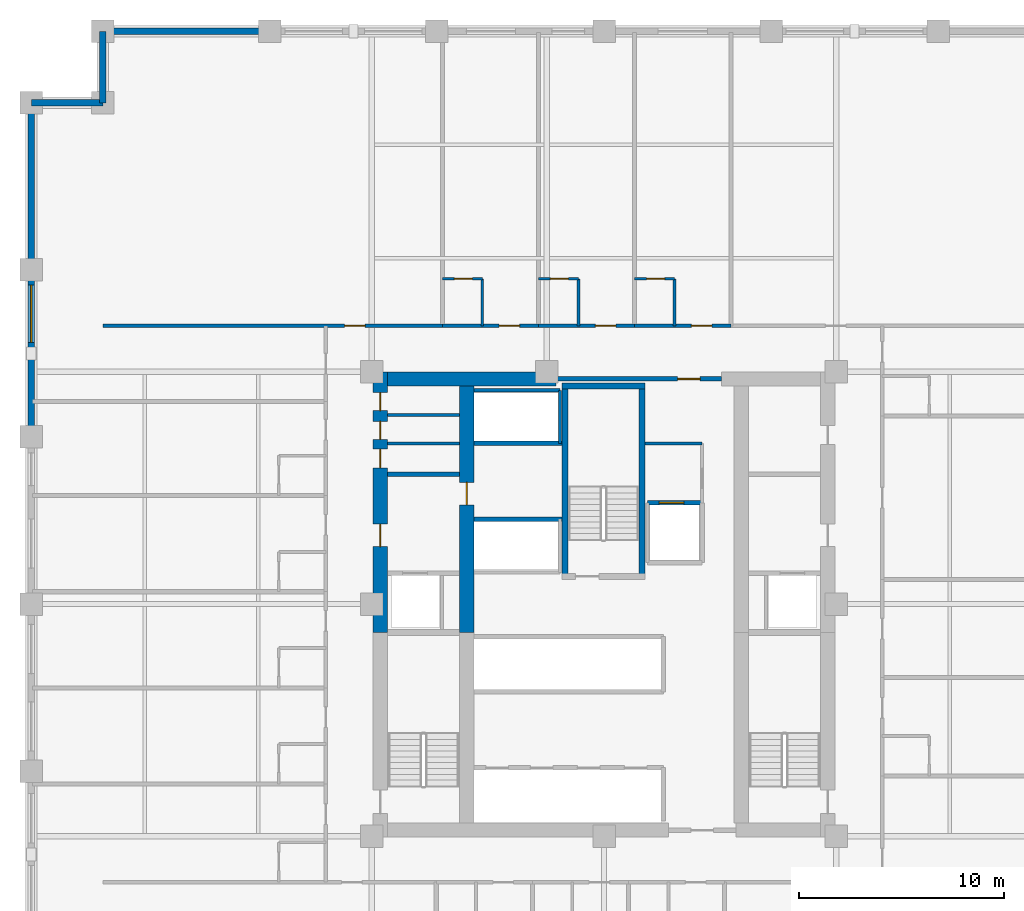
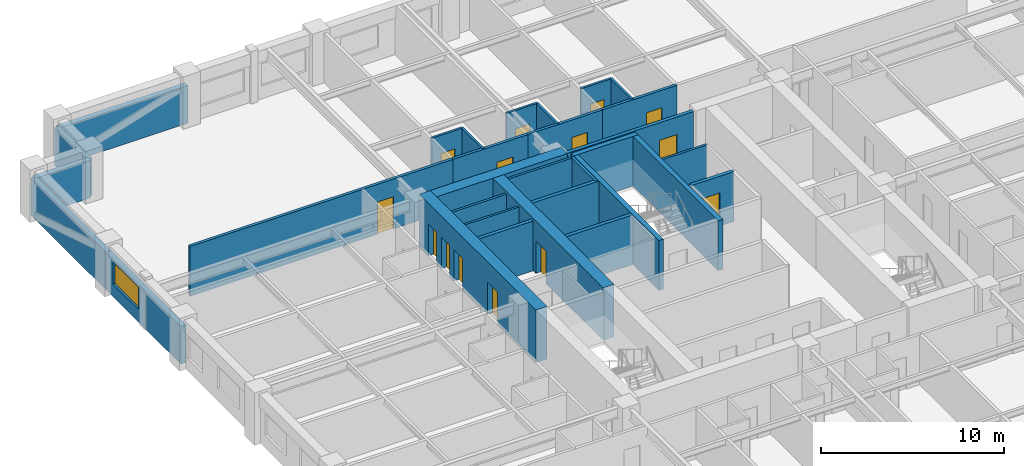
# One storey, part 5 of 8: 31 walls, 14 doors, 1 window, 15 openings.
"""IFC4 building model written with IfcOpenShell, lengths in metres."""

import ifcopenshell
import ifcopenshell.guid

model = None  # the IFC model being written
_history = None  # IfcOwnerHistory: only IFC2X3 demands one
_inside = {}  # id of a spatial element -> (the spatial element, [elements in it])
_under = {}  # id of a project, library or spatial element -> (it, [spatial elements below it])
_declared = {}  # id of a project -> (the project, [libraries it declares])
_typed = {}  # id of a type object -> (the type object, [elements of that type])
_made_of = {}  # id of a material, layer set ... -> (it, [elements and type objects made of it])


def new_model(schema):
    """Start an empty IFC model of exactly this schema.

    Asked for "IFC4X3", IfcOpenShell would pick the latest addendum, in which some entities
    have other attributes; the version numbers below select the first issue.
    IFC2X3 requires an IfcOwnerHistory on every rooted entity: one is made here for all.
    """
    global model, _history
    if schema == "IFC4X3":
        model = ifcopenshell.file(schema_version=(4, 3, 0, 0))
    else:
        model = ifcopenshell.file(schema=schema)
    _inside.clear()
    _under.clear()
    _declared.clear()
    _typed.clear()
    _made_of.clear()
    _history = None
    if model.schema == "IFC2X3":
        org = make("IfcOrganization", Name="unknown")
        user = make(
            "IfcPersonAndOrganization",
            ThePerson=make("IfcPerson", FamilyName="unknown"),
            TheOrganization=org,
        )
        app = make(
            "IfcApplication",
            ApplicationDeveloper=org,
            Version="unknown",
            ApplicationFullName="unknown",
            ApplicationIdentifier="unknown",
        )
        _history = make(
            "IfcOwnerHistory",
            OwningUser=user,
            OwningApplication=app,
            ChangeAction="ADDED",
            CreationDate=0,
        )
    return model


def make(cls, **values):
    """One entity of the class cls with the attributes given. An attribute that is None is left unset."""
    return model.create_entity(
        cls, **{name: value for name, value in values.items() if value is not None}
    )


def rooted(cls, **values):
    """An entity with a GlobalId (a new one), such as an element, a storey or a relation."""
    return make(cls, GlobalId=ifcopenshell.guid.new(), OwnerHistory=_history, **values)


def si_unit(unit_type, name, prefix=None):
    """IfcSIUnit, for example si_unit("LENGTHUNIT", "METRE", prefix="MILLI")."""
    return make("IfcSIUnit", UnitType=unit_type, Prefix=prefix, Name=name)


def assignment(units):
    """IfcUnitAssignment: the units of a project."""
    return None if units is None else make("IfcUnitAssignment", Units=units)


def point(xyz):
    """IfcCartesianPoint."""
    return None if xyz is None else make("IfcCartesianPoint", Coordinates=xyz)


def direction(xyz):
    """IfcDirection."""
    return None if xyz is None else make("IfcDirection", DirectionRatios=xyz)


def frame(location, z_axis=None, x_axis=None):
    """IfcAxis2Placement3D, a coordinate frame: its origin and axes. An axis left out is left unset."""
    return make(
        "IfcAxis2Placement3D",
        Location=point(location),
        Axis=direction(z_axis),
        RefDirection=direction(x_axis),
    )


def frame_2d(location, x_axis=None):
    """IfcAxis2Placement2D, a coordinate frame in the plane: its origin and x axis."""
    return make(
        "IfcAxis2Placement2D", Location=point(location), RefDirection=direction(x_axis)
    )


def origin():
    """The frame at (0, 0, 0) with its axes left unset."""
    return frame((0.0, 0.0, 0.0))


def place(relative_to, where):
    """IfcLocalPlacement: puts the frame where relative to a parent placement (None: the world)."""
    return make(
        "IfcLocalPlacement", PlacementRelTo=relative_to, RelativePlacement=where
    )


def context(
    kind, dimensions, precision=None, world=None, true_north=None, identifier=None
):
    """IfcGeometricRepresentationContext, for example the 3D "Model" context."""
    return make(
        "IfcGeometricRepresentationContext",
        ContextIdentifier=identifier,
        ContextType=kind,
        CoordinateSpaceDimension=dimensions,
        Precision=precision,
        WorldCoordinateSystem=world,
        TrueNorth=true_north,
    )


def subcontext(parent, identifier, kind, view, scale=None):
    """IfcGeometricRepresentationSubContext, for example "Body" below "Model"."""
    return make(
        "IfcGeometricRepresentationSubContext",
        ContextIdentifier=identifier,
        ContextType=kind,
        ParentContext=parent,
        TargetScale=scale,
        TargetView=view,
    )


def project(units=None, contexts=None):
    """IfcProject with its units and contexts."""
    return rooted(
        "IfcProject",
        Name="project",
        RepresentationContexts=contexts,
        UnitsInContext=assignment(units),
    )


def spatial(cls, under=None, at=None, **own):
    """A site, building, storey or space (cls), placed at a placement, below another one or the project."""
    s = rooted(cls, ObjectPlacement=at, **own)
    if under is not None:
        _under.setdefault(under.id(), (under, []))[1].append(s)
    return s


def profile(cls, at=None, kind="AREA", **sizes):
    """A parametric profile (cls). Its sizes go by their IFC names, for example OverallWidth=200.0."""
    return make(cls, ProfileType=kind, Position=at, **sizes)


def rectangle(**sizes):
    """IfcRectangleProfileDef."""
    return profile("IfcRectangleProfileDef", **sizes)


def extrude(swept, where, along, depth):
    """IfcExtrudedAreaSolid: the profile swept, set in the frame where, extruded along a direction by depth."""
    return make(
        "IfcExtrudedAreaSolid",
        SweptArea=swept,
        Position=where,
        ExtrudedDirection=direction(along),
        Depth=depth,
    )


def shape(context_of_items, identifier, shape_type, items):
    """IfcShapeRepresentation: the items that make up one representation, for example the "Body"."""
    return make(
        "IfcShapeRepresentation",
        ContextOfItems=context_of_items,
        RepresentationIdentifier=identifier,
        RepresentationType=shape_type,
        Items=items,
    )


def material(Name=None, Category=None):
    """IfcMaterial."""
    return make("IfcMaterial", Name=Name, Category=Category)


def layer(
    of_material, thickness, ventilated=None, Name=None, Category=None, Priority=None
):
    """IfcMaterialLayer: one layer of a wall or slab, of a material (None: an air gap)."""
    return make(
        "IfcMaterialLayer",
        Material=of_material,
        LayerThickness=thickness,
        IsVentilated=ventilated,
        Name=Name,
        Category=Category,
        Priority=Priority,
    )


def layer_set(layers, Name=None):
    """IfcMaterialLayerSet."""
    return make("IfcMaterialLayerSet", MaterialLayers=layers, LayerSetName=Name)


def made_of(thing, what):
    """Note that an element or type object is made of a material, layer set ...; save() writes the relation."""
    if what is not None:
        _made_of.setdefault(what.id(), (what, []))[1].append(thing)
    return thing


def type_object(cls, material=None, **own):
    """A type object (cls), such as IfcWallType, which elements share."""
    return made_of(rooted(cls, **own), material)


def element(
    cls,
    number,
    at=None,
    inside=None,
    cuts=None,
    type_object=None,
    material=None,
    context=None,
    identifier="Body",
    shape_type=None,
    held_by="IfcProductDefinitionShape",
    body=None,
    shapes=None,
    **own,
):
    """One element of the class cls, such as IfcWall. Its Tag is "e" and its number.

    at: its placement. inside: the storey or other place that contains it. cuts: it is an
    opening in that element (IfcRelVoidsElement). A single representation is given by context,
    identifier, shape_type and body (its items); several are given by shapes. held_by: the class
    of the entity that holds the representations. save() writes the other relations.
    """
    e = rooted(cls, Tag="e%d" % number, ObjectPlacement=at, **own)
    if body is not None:
        shapes = [shape(context, identifier, shape_type, body)]
    if shapes is not None:
        e.Representation = make(held_by, Representations=shapes)
    if inside is not None:
        _inside.setdefault(inside.id(), (inside, []))[1].append(e)
    if cuts is not None:
        rooted(
            "IfcRelVoidsElement", RelatingBuildingElement=cuts, RelatedOpeningElement=e
        )
    if type_object is not None:
        _typed.setdefault(type_object.id(), (type_object, []))[1].append(e)
    return made_of(e, material)


def fill(opening, filler):
    """IfcRelFillsElement: the door or window that sits in an opening."""
    return rooted(
        "IfcRelFillsElement",
        RelatingOpeningElement=opening,
        RelatedBuildingElement=filler,
    )


def aggregate(whole, parts):
    """IfcRelAggregates: a whole, such as a stair, and the parts it consists of."""
    return rooted("IfcRelAggregates", RelatingObject=whole, RelatedObjects=parts)


def save(model, path):
    """Write the relations noted so far, then the file.

    IfcRelAggregates (storeys below a building ...), IfcRelContainedInSpatialStructure (elements
    in a storey), IfcRelDefinesByType, IfcRelAssociatesMaterial and IfcRelDeclares: one each for
    every whole, place, type object, material and project.
    """
    for whole, parts in _under.values():
        aggregate(whole, parts)
    for where, things in _inside.values():
        rooted(
            "IfcRelContainedInSpatialStructure",
            RelatedElements=things,
            RelatingStructure=where,
        )
    for kind, things in _typed.values():
        rooted("IfcRelDefinesByType", RelatedObjects=things, RelatingType=kind)
    for what, things in _made_of.values():
        rooted("IfcRelAssociatesMaterial", RelatedObjects=things, RelatingMaterial=what)
    for by, libraries in _declared.values():
        rooted("IfcRelDeclares", RelatingContext=by, RelatedDefinitions=libraries)
    model.write(path)


model = new_model("IFC4")

# Units and contexts
model_context = context("Model", 3, precision=1e-05, world=origin(), true_north=direction((0.0, 1.0)))
body_context = subcontext(model_context, "Body", "Model", "MODEL_VIEW")
ifc_project = project(units=[si_unit("LENGTHUNIT", "METRE"), si_unit("AREAUNIT", "SQUARE_METRE"), si_unit("VOLUMEUNIT", "CUBIC_METRE"), si_unit("PLANEANGLEUNIT", "RADIAN"), si_unit("MASSUNIT", "GRAM", prefix="KILO")], contexts=[model_context])

# Site, building, storey
site_placement = place(None, origin())
site = spatial("IfcSite", under=ifc_project, at=site_placement, CompositionType="ELEMENT")
building_placement = place(site_placement, origin())
building = spatial("IfcBuilding", under=site, at=building_placement, Name="Nhamokura Convention Tower", CompositionType="ELEMENT")
storey_placement = place(building_placement, frame((0.0, 0.0, 45.85009765625)))
storey = spatial("IfcBuildingStorey", under=building, at=storey_placement, Name="L09", CompositionType="ELEMENT", Elevation=45.85009765625)

# Walls
ifc_material_1 = material(Name="Moisture-resistant tile-backer partition", Category="masonry")
ifc_layer_1 = layer(ifc_material_1, 0.139892578125)
ifc_layer_set_1 = layer_set([ifc_layer_1], Name="BathroomWetWall_140")
wall_type_1 = type_object("IfcWallType", Name="BathroomWetWall_140", PredefinedType="STANDARD", material=ifc_layer_set_1)
wall_1_placement = place(storey_placement, frame((21.409912109375, 39.85009765625, 0.0), z_axis=(0.0, 0.0, 1.0), x_axis=(1.0, 0.0, 0.0)))
element("IfcWall", 1, at=wall_1_placement, inside=storey, type_object=wall_type_1, Name="L09 Wall INT-L09-CWNW1", PredefinedType="STANDARD", context=body_context, shape_type="SweptSolid", body=[
    extrude(rectangle(XDim=3.530029296875, YDim=0.139892578125, at=frame_2d((1.76513671875, 0.0))), origin(), (0.0, 0.0, 1.0), 3.31982421875),
])
wall_2_placement = place(storey_placement, frame((26.050048828125, 45.60009765625, 0.0), z_axis=(0.0, 0.0, 1.0), x_axis=(0.0, 1.0, 0.0)))
element("IfcWall", 2, at=wall_2_placement, inside=storey, type_object=wall_type_1, Name="L09 Wall INT-L09-BW-N01E", PredefinedType="STANDARD", context=body_context, shape_type="SweptSolid", body=[
    extrude(rectangle(XDim=2.2998046875, YDim=0.139892578125, at=frame_2d((1.14990234375, 0.0))), origin(), (0.0, 0.0, 1.0), 3.31982421875),
])

# Wall, opening, door
wall_3_placement = place(storey_placement, frame((24.10009765625, 47.89990234375, 0.0), z_axis=(0.0, 0.0, 1.0), x_axis=(1.0, 0.0, 0.0)))
wall_3 = element("IfcWall", 3, at=wall_3_placement, inside=storey, type_object=wall_type_1, Name="L09 Wall INT-L09-BW-N01N", PredefinedType="STANDARD", context=body_context, shape_type="SweptSolid", body=[
    extrude(rectangle(XDim=1.949951171875, YDim=0.139892578125, at=frame_2d((0.97509765625, 0.0))), origin(), (0.0, 0.0, 1.0), 3.31982421875),
])
opening_1_placement = place(wall_3_placement, frame((0.580078125, 0.0, 0.0)))
opening_1 = element("IfcOpeningElement", 4, at=opening_1_placement, cuts=wall_3, Name="Opening D-11", PredefinedType="OPENING", context=body_context, shape_type="SweptSolid", body=[
    extrude(rectangle(XDim=0.8798828125, YDim=2.10009765625, at=frame_2d((0.43994140625, 1.050048828125))), frame((0.0, 0.079833984375, 0.0), z_axis=(0.0, -1.0, 0.0), x_axis=(1.0, 0.0, 0.0)), (0.0, 0.0, 1.0), 0.159912109375),
])
ifc_material_2 = material(Name="Solid oak hardwood", Category="wood")
door_type_1 = type_object("IfcDoorType", Name="BathroomDoor_880", OperationType="NOTDEFINED", PredefinedType="DOOR", material=ifc_material_2)
door_1_placement = place(opening_1_placement, origin())
door_1 = element("IfcDoor", 5, at=door_1_placement, inside=storey, type_object=door_type_1, Name="L09 Corner Suite En-suite Door", OperationType="SINGLE_SWING_RIGHT", OverallHeight=2.10009765625, OverallWidth=0.8798828125, PredefinedType="DOOR", context=body_context, shape_type="SweptSolid", body=[
    extrude(rectangle(XDim=0.8798828125, YDim=2.10009765625, at=frame_2d((0.43994140625, 1.050048828125))), frame((0.0, 0.02490234375, 0.0), z_axis=(0.0, -1.0, 0.0), x_axis=(1.0, 0.0, 0.0)), (0.0, 0.0, 1.0), 0.050048828125),
])
fill(opening_1, door_1)

# Wall
wall_4_placement = place(storey_placement, frame((30.75, 45.60009765625, 0.0), z_axis=(0.0, 0.0, 1.0), x_axis=(0.0, 1.0, 0.0)))
element("IfcWall", 6, at=wall_4_placement, inside=storey, type_object=wall_type_1, Name="L09 Wall INT-L09-BW-N02E", PredefinedType="STANDARD", context=body_context, shape_type="SweptSolid", body=[
    extrude(rectangle(XDim=2.2998046875, YDim=0.139892578125, at=frame_2d((1.14990234375, 0.0))), origin(), (0.0, 0.0, 1.0), 3.31982421875),
])

# Wall, opening, door
wall_5_placement = place(storey_placement, frame((28.800048828125, 47.89990234375, 0.0), z_axis=(0.0, 0.0, 1.0), x_axis=(1.0, 0.0, 0.0)))
wall_5 = element("IfcWall", 7, at=wall_5_placement, inside=storey, type_object=wall_type_1, Name="L09 Wall INT-L09-BW-N02N", PredefinedType="STANDARD", context=body_context, shape_type="SweptSolid", body=[
    extrude(rectangle(XDim=1.949951171875, YDim=0.139892578125, at=frame_2d((0.97509765625, 0.0))), origin(), (0.0, 0.0, 1.0), 3.31982421875),
])
opening_2_placement = place(wall_5_placement, frame((0.580078125, 0.0, 0.0)))
opening_2 = element("IfcOpeningElement", 8, at=opening_2_placement, cuts=wall_5, Name="Opening D-11", PredefinedType="OPENING", context=body_context, shape_type="SweptSolid", body=[
    extrude(rectangle(XDim=0.8798828125, YDim=2.10009765625, at=frame_2d((0.43994140625, 1.050048828125))), frame((0.0, 0.079833984375, 0.0), z_axis=(0.0, -1.0, 0.0), x_axis=(1.0, 0.0, 0.0)), (0.0, 0.0, 1.0), 0.159912109375),
])
door_2_placement = place(opening_2_placement, origin())
door_2 = element("IfcDoor", 9, at=door_2_placement, inside=storey, type_object=door_type_1, Name="L09 Guest Room En-suite Door", OperationType="SINGLE_SWING_RIGHT", OverallHeight=2.10009765625, OverallWidth=0.8798828125, PredefinedType="DOOR", context=body_context, shape_type="SweptSolid", body=[
    extrude(rectangle(XDim=0.8798828125, YDim=2.10009765625, at=frame_2d((0.43994140625, 1.050048828125))), frame((0.0, 0.02490234375, 0.0), z_axis=(0.0, -1.0, 0.0), x_axis=(1.0, 0.0, 0.0)), (0.0, 0.0, 1.0), 0.050048828125),
])
fill(opening_2, door_2)

# Wall
wall_6_placement = place(storey_placement, frame((35.449951171875, 45.60009765625, 0.0), z_axis=(0.0, 0.0, 1.0), x_axis=(0.0, 1.0, 0.0)))
element("IfcWall", 10, at=wall_6_placement, inside=storey, type_object=wall_type_1, Name="L09 Wall INT-L09-BW-N03E", PredefinedType="STANDARD", context=body_context, shape_type="SweptSolid", body=[
    extrude(rectangle(XDim=2.2998046875, YDim=0.139892578125, at=frame_2d((1.14990234375, 0.0))), origin(), (0.0, 0.0, 1.0), 3.31982421875),
])

# Wall, opening, door
wall_7_placement = place(storey_placement, frame((33.5, 47.89990234375, 0.0), z_axis=(0.0, 0.0, 1.0), x_axis=(1.0, 0.0, 0.0)))
wall_7 = element("IfcWall", 11, at=wall_7_placement, inside=storey, type_object=wall_type_1, Name="L09 Wall INT-L09-BW-N03N", PredefinedType="STANDARD", context=body_context, shape_type="SweptSolid", body=[
    extrude(rectangle(XDim=1.949951171875, YDim=0.139892578125, at=frame_2d((0.97509765625, 0.0))), origin(), (0.0, 0.0, 1.0), 3.31982421875),
])
opening_3_placement = place(wall_7_placement, frame((0.580078125, 0.0, 0.0)))
opening_3 = element("IfcOpeningElement", 12, at=opening_3_placement, cuts=wall_7, Name="Opening D-11", PredefinedType="OPENING", context=body_context, shape_type="SweptSolid", body=[
    extrude(rectangle(XDim=0.8798828125, YDim=2.10009765625, at=frame_2d((0.43994140625, 1.050048828125))), frame((0.0, 0.079833984375, 0.0), z_axis=(0.0, -1.0, 0.0), x_axis=(1.0, 0.0, 0.0)), (0.0, 0.0, 1.0), 0.159912109375),
])
door_3_placement = place(opening_3_placement, origin())
door_3 = element("IfcDoor", 13, at=door_3_placement, inside=storey, type_object=door_type_1, Name="L09 Corner Suite En-suite Door", OperationType="SINGLE_SWING_RIGHT", OverallHeight=2.10009765625, OverallWidth=0.8798828125, PredefinedType="DOOR", context=body_context, shape_type="SweptSolid", body=[
    extrude(rectangle(XDim=0.8798828125, YDim=2.10009765625, at=frame_2d((0.43994140625, 1.050048828125))), frame((0.0, 0.02490234375, 0.0), z_axis=(0.0, -1.0, 0.0), x_axis=(1.0, 0.0, 0.0)), (0.0, 0.0, 1.0), 0.050048828125),
])
fill(opening_3, door_3)

# Wall
ifc_material_3 = material(Name="Bronze-pigmented precast concrete C45/55", Category="concrete")
ifc_layer_2 = layer(ifc_material_3, 0.320068359375)
ifc_layer_set_2 = layer_set([ifc_layer_2], Name="BronzePrecastSpandrel_320")
wall_type_2 = type_object("IfcWallType", Name="BronzePrecastSpandrel_320", PredefinedType="USERDEFINED", material=ifc_layer_set_2)
wall_8_placement = place(storey_placement, frame((7.5, 60.0, 0.0), z_axis=(0.0, 0.0, 1.0), x_axis=(1.0, 0.0, 0.0)))
element("IfcWall", 14, at=wall_8_placement, inside=storey, type_object=wall_type_2, Name="L09 Braced-Bay Precast Wall NORTH 0", ObjectType="SPANDREL_WALL", PredefinedType="USERDEFINED", context=body_context, shape_type="SweptSolid", body=[
    extrude(rectangle(XDim=8.166748046875, YDim=0.320068359375, at=frame_2d((4.08349609375, 0.0))), origin(), (0.0, 0.0, 1.0), 2.52001953125),
])

# Wall, opening, window
wall_9_placement = place(storey_placement, frame((4.0, 40.166748046875, 0.0), z_axis=(0.0, 0.0, 1.0), x_axis=(0.0, 1.0, 0.0)))
wall_9 = element("IfcWall", 15, at=wall_9_placement, inside=storey, type_object=wall_type_2, Name="L09 Masonry-Frame Wall WEST 4", ObjectType="SPANDREL_WALL", PredefinedType="USERDEFINED", context=body_context, shape_type="SweptSolid", body=[
    extrude(rectangle(XDim=8.16650390625, YDim=0.320068359375, at=frame_2d((4.083251953125, 0.0))), origin(), (0.0, 0.0, 1.0), 2.52001953125),
])
opening_4_placement = place(wall_9_placement, frame((4.625, 0.0, 0.85009765625)))
opening_4 = element("IfcOpeningElement", 16, at=opening_4_placement, cuts=wall_9, Name="Opening W-04", PredefinedType="OPENING", context=body_context, shape_type="SweptSolid", body=[
    extrude(rectangle(XDim=2.800048828125, YDim=1.469970703125, at=frame_2d((1.39990234375, 0.73486328125))), frame((0.0, 0.169921875, 0.0), z_axis=(0.0, -1.0, 0.0), x_axis=(1.0, 0.0, 0.0)), (0.0, 0.0, 1.0), 0.340087890625),
])
ifc_material_4 = material(Name="Solar-control bronze low-E double glass", Category="glass")
window_type = type_object("IfcWindowType", Name="HotelSuiteWindow_2800", PartitioningType="DOUBLE_PANEL_VERTICAL", PredefinedType="WINDOW", material=ifc_material_4)
window_placement = place(opening_4_placement, origin())
window = element("IfcWindow", 17, at=window_placement, inside=storey, type_object=window_type, Name="L09 Facade Window WEST 4-3", OverallHeight=1.469970703125, OverallWidth=2.800048828125, PartitioningType="SINGLE_PANEL", PredefinedType="WINDOW", context=body_context, shape_type="SweptSolid", body=[
    extrude(rectangle(XDim=2.800048828125, YDim=1.469970703125, at=frame_2d((1.39990234375, 0.73486328125))), frame((0.0, 0.030029296875, 0.0), z_axis=(0.0, -1.0, 0.0), x_axis=(1.0, 0.0, 0.0)), (0.0, 0.0, 1.0), 0.06005859375),
])
fill(opening_4, window)

# Walls
wall_10_placement = place(storey_placement, frame((4.0, 48.333251953125, 0.0), z_axis=(0.0, 0.0, 1.0), x_axis=(0.0, 1.0, 0.0)))
element("IfcWall", 18, at=wall_10_placement, inside=storey, type_object=wall_type_2, Name="L09 Braced-Bay Precast Wall WEST 5", ObjectType="SPANDREL_WALL", PredefinedType="USERDEFINED", context=body_context, shape_type="SweptSolid", body=[
    extrude(rectangle(XDim=8.166748046875, YDim=0.320068359375, at=frame_2d((4.08349609375, 0.0))), origin(), (0.0, 0.0, 1.0), 2.52001953125),
])
for number, where, z_axis, x_axis, name in (
    (19, (7.5, 56.5, 0.0), (0.0, 0.0, 1.0), (0.0, 1.0, 0.0), "L09 Notched Corner Wall NW1"),
    (20, (4.0, 56.5, 0.0), (0.0, 0.0, 1.0), (1.0, 0.0, 0.0), "L09 Notched Corner Wall NW2"),
):
    element("IfcWall", number, at=place(storey_placement, frame(where, z_axis=z_axis, x_axis=x_axis)), inside=storey, type_object=wall_type_2, Name=name, ObjectType="SPANDREL_WALL", PredefinedType="USERDEFINED", context=body_context, shape_type="SweptSolid", body=[
        extrude(rectangle(XDim=3.5, YDim=0.320068359375, at=frame_2d((1.75, 0.0))), origin(), (0.0, 0.0, 1.0), 2.52001953125),
    ])

# Wall, openings, doors
ifc_material_5 = material(Name="Concrete C70/85", Category="concrete")
ifc_layer_3 = layer(ifc_material_5, 0.699951171875)
ifc_layer_set_3 = layer_set([ifc_layer_3], Name="CoreShearWall_700")
wall_type_3 = type_object("IfcWallType", Name="CoreShearWall_700", PredefinedType="SHEAR", material=ifc_layer_set_3)
wall_11_placement = place(storey_placement, frame((21.06005859375, 30.60009765625, 0.0), z_axis=(0.0, 0.0, 1.0), x_axis=(0.0, 1.0, 0.0)))
wall_11 = element("IfcWall", 21, at=wall_11_placement, inside=storey, type_object=wall_type_3, Name="L09 Core Shear Wall CW-WN", PredefinedType="SHEAR", context=body_context, shape_type="SweptSolid", body=[
    extrude(rectangle(XDim=12.75, YDim=0.699951171875, at=frame_2d((6.375, 0.0))), origin(), (0.0, 0.0, 1.0), 3.5),
])
opening_5_placement = place(wall_11_placement, frame((4.199951171875, 0.0, 0.0)))
opening_5 = element("IfcOpeningElement", 22, at=opening_5_placement, cuts=wall_11, Name="Opening D-05", PredefinedType="OPENING", context=body_context, shape_type="SweptSolid", body=[
    extrude(rectangle(XDim=1.10009765625, YDim=2.14990234375, at=frame_2d((0.550048828125, 1.074951171875))), frame((0.0, 0.35986328125, 0.0), z_axis=(0.0, -1.0, 0.0), x_axis=(1.0, 0.0, 0.0)), (0.0, 0.0, 1.0), 0.719970703125),
])
opening_6_placement = place(wall_11_placement, frame((8.050048828125, 0.0, 0.0)))
opening_6 = element("IfcOpeningElement", 23, at=opening_6_placement, cuts=wall_11, Name="Opening D-10", PredefinedType="OPENING", context=body_context, shape_type="SweptSolid", body=[
    extrude(rectangle(XDim=0.919921875, YDim=2.10009765625, at=frame_2d((0.4599609375, 1.050048828125))), frame((0.0, 0.35986328125, 0.0), z_axis=(0.0, -1.0, 0.0), x_axis=(1.0, 0.0, 0.0)), (0.0, 0.0, 1.0), 0.719970703125),
])
opening_7_placement = place(wall_11_placement, frame((9.449951171875, 0.0, 0.0)))
opening_7 = element("IfcOpeningElement", 24, at=opening_7_placement, cuts=wall_11, Name="Opening D-11", PredefinedType="OPENING", context=body_context, shape_type="SweptSolid", body=[
    extrude(rectangle(XDim=0.8798828125, YDim=2.10009765625, at=frame_2d((0.43994140625, 1.050048828125))), frame((0.0, 0.35986328125, 0.0), z_axis=(0.0, -1.0, 0.0), x_axis=(1.0, 0.0, 0.0)), (0.0, 0.0, 1.0), 0.719970703125),
])
opening_8_placement = place(wall_11_placement, frame((10.85009765625, 0.0, 0.0)))
opening_8 = element("IfcOpeningElement", 25, at=opening_8_placement, cuts=wall_11, Name="Opening D-11", PredefinedType="OPENING", context=body_context, shape_type="SweptSolid", body=[
    extrude(rectangle(XDim=0.8798828125, YDim=2.10009765625, at=frame_2d((0.43994140625, 1.050048828125))), frame((0.0, 0.35986328125, 0.0), z_axis=(0.0, -1.0, 0.0), x_axis=(1.0, 0.0, 0.0)), (0.0, 0.0, 1.0), 0.719970703125),
])
ifc_material_6 = material(Name="Solid oak hardwood", Category="wood")
door_type_2 = type_object("IfcDoorType", Name="AccessibleWCDoor_920", OperationType="NOTDEFINED", PredefinedType="DOOR", material=ifc_material_6)
door_4_placement = place(opening_6_placement, origin())
door_4 = element("IfcDoor", 26, at=door_4_placement, inside=storey, type_object=door_type_2, Name="L09 Core Door INT-L09-D-AWC", OperationType="SINGLE_SWING_LEFT", OverallHeight=2.10009765625, OverallWidth=0.919921875, PredefinedType="DOOR", context=body_context, shape_type="SweptSolid", body=[
    extrude(rectangle(XDim=0.919921875, YDim=2.10009765625, at=frame_2d((0.4599609375, 1.050048828125))), frame((0.0, 0.02490234375, 0.0), z_axis=(0.0, -1.0, 0.0), x_axis=(1.0, 0.0, 0.0)), (0.0, 0.0, 1.0), 0.050048828125),
])
fill(opening_6, door_4)
door_5_placement = place(opening_7_placement, origin())
door_5 = element("IfcDoor", 27, at=door_5_placement, inside=storey, type_object=door_type_1, Name="L09 Core Door INT-L09-D-CLN", OperationType="SINGLE_SWING_RIGHT", OverallHeight=2.10009765625, OverallWidth=0.8798828125, PredefinedType="DOOR", context=body_context, shape_type="SweptSolid", body=[
    extrude(rectangle(XDim=0.8798828125, YDim=2.10009765625, at=frame_2d((0.43994140625, 1.050048828125))), frame((0.0, 0.02490234375, 0.0), z_axis=(0.0, -1.0, 0.0), x_axis=(1.0, 0.0, 0.0)), (0.0, 0.0, 1.0), 0.050048828125),
])
fill(opening_7, door_5)
door_6_placement = place(opening_8_placement, origin())
door_6 = element("IfcDoor", 28, at=door_6_placement, inside=storey, type_object=door_type_1, Name="L09 Core Door INT-L09-D-PNT", OperationType="SINGLE_SWING_LEFT", OverallHeight=2.10009765625, OverallWidth=0.8798828125, PredefinedType="DOOR", context=body_context, shape_type="SweptSolid", body=[
    extrude(rectangle(XDim=0.8798828125, YDim=2.10009765625, at=frame_2d((0.43994140625, 1.050048828125))), frame((0.0, 0.02490234375, 0.0), z_axis=(0.0, -1.0, 0.0), x_axis=(1.0, 0.0, 0.0)), (0.0, 0.0, 1.0), 0.050048828125),
])
fill(opening_8, door_6)
ifc_material_7 = material(Name="Fire-rated steel door", Category="steel")
door_type_3 = type_object("IfcDoorType", Name="FireLobbyDoor_1100", OperationType="NOTDEFINED", PredefinedType="DOOR", material=ifc_material_7)
door_7_placement = place(opening_5_placement, origin())
door_7 = element("IfcDoor", 29, at=door_7_placement, inside=storey, type_object=door_type_3, Name="L09 Core Door INT-L09-D-FFLW", OperationType="SINGLE_SWING_RIGHT", OverallHeight=2.14990234375, OverallWidth=1.10009765625, PredefinedType="DOOR", context=body_context, shape_type="SweptSolid", body=[
    extrude(rectangle(XDim=1.10009765625, YDim=2.14990234375, at=frame_2d((0.550048828125, 1.074951171875))), frame((0.0, 0.02490234375, 0.0), z_axis=(0.0, -1.0, 0.0), x_axis=(1.0, 0.0, 0.0)), (0.0, 0.0, 1.0), 0.050048828125),
])
fill(opening_5, door_7)

# Wall
wall_12_placement = place(storey_placement, frame((21.409912109375, 43.0, 0.0), z_axis=(0.0, 0.0, 1.0), x_axis=(1.0, 0.0, 0.0)))
element("IfcWall", 30, at=wall_12_placement, inside=storey, type_object=wall_type_3, Name="L09 Core Shear Wall CW-N1", PredefinedType="SHEAR", context=body_context, shape_type="SweptSolid", body=[
    extrude(rectangle(XDim=8.239990234375, YDim=0.699951171875, at=frame_2d((4.1201171875, 0.0))), origin(), (0.0, 0.0, 1.0), 3.5),
])

# Wall, opening, door
wall_13_placement = place(storey_placement, frame((25.2900390625, 30.60009765625, 0.0), z_axis=(0.0, 0.0, 1.0), x_axis=(0.0, 1.0, 0.0)))
wall_13 = element("IfcWall", 31, at=wall_13_placement, inside=storey, type_object=wall_type_3, Name="L09 Core Shear Wall CW-IWN", PredefinedType="SHEAR", context=body_context, shape_type="SweptSolid", body=[
    extrude(rectangle(XDim=12.0498046875, YDim=0.699951171875, at=frame_2d((6.02490234375, 0.0))), origin(), (0.0, 0.0, 1.0), 3.5),
])
opening_9_placement = place(wall_13_placement, frame((6.25, 0.0, 0.0)))
opening_9 = element("IfcOpeningElement", 32, at=opening_9_placement, cuts=wall_13, Name="Opening D-05", PredefinedType="OPENING", context=body_context, shape_type="SweptSolid", body=[
    extrude(rectangle(XDim=1.10009765625, YDim=2.14990234375, at=frame_2d((0.550048828125, 1.074951171875))), frame((0.0, 0.35986328125, 0.0), z_axis=(0.0, -1.0, 0.0), x_axis=(1.0, 0.0, 0.0)), (0.0, 0.0, 1.0), 0.719970703125),
])
door_8_placement = place(opening_9_placement, origin())
door_8 = element("IfcDoor", 33, at=door_8_placement, inside=storey, type_object=door_type_3, Name="L09 Core Door INT-L09-D-B3LOB", OperationType="SINGLE_SWING_LEFT", OverallHeight=2.14990234375, OverallWidth=1.10009765625, PredefinedType="DOOR", context=body_context, shape_type="SweptSolid", body=[
    extrude(rectangle(XDim=1.10009765625, YDim=2.14990234375, at=frame_2d((0.550048828125, 1.074951171875))), frame((0.0, 0.02490234375, 0.0), z_axis=(0.0, -1.0, 0.0), x_axis=(1.0, 0.0, 0.0)), (0.0, 0.0, 1.0), 0.050048828125),
])
fill(opening_9, door_8)

ifc_material_8 = material(Name="Fire-rated gypsum and masonry partition", Category="masonry")
ifc_layer_4 = layer(ifc_material_8, 0.179931640625)
ifc_layer_set_4 = layer_set([ifc_layer_4], Name="CorridorRatedWall_180")
wall_type_4 = type_object("IfcWallType", Name="CorridorRatedWall_180", PredefinedType="STANDARD", material=ifc_layer_set_4)
wall_14_placement = place(storey_placement, frame((7.5, 45.60009765625, 0.0), z_axis=(0.0, 0.0, 1.0), x_axis=(1.0, 0.0, 0.0)))
wall_14 = element("IfcWall", 34, at=wall_14_placement, inside=storey, type_object=wall_type_4, Name="L09 Wall INT-L09-CW-N00", PredefinedType="STANDARD", context=body_context, shape_type="SweptSolid", body=[
    extrude(rectangle(XDim=16.60009765625, YDim=0.179931640625, at=frame_2d((8.300048828125, 0.0))), origin(), (0.0, 0.0, 1.0), 3.31982421875),
])
opening_10_placement = place(wall_14_placement, frame((11.824951171875, 0.0, 0.0)))
opening_10 = element("IfcOpeningElement", 35, at=opening_10_placement, cuts=wall_14, Name="Opening D-07", PredefinedType="OPENING", context=body_context, shape_type="SweptSolid", body=[
    extrude(rectangle(XDim=1.0, YDim=2.14990234375, at=frame_2d((0.5, 1.074951171875))), frame((0.0, 0.099853515625, 0.0), z_axis=(0.0, -1.0, 0.0), x_axis=(1.0, 0.0, 0.0)), (0.0, 0.0, 1.0), 0.199951171875),
])
ifc_material_9 = material(Name="Solid oak hardwood", Category="wood")
door_type_4 = type_object("IfcDoorType", Name="HotelSuiteEntryDoor_1000", OperationType="NOTDEFINED", PredefinedType="DOOR", material=ifc_material_9)
door_9_placement = place(opening_10_placement, origin())
door_9 = element("IfcDoor", 36, at=door_9_placement, inside=storey, type_object=door_type_4, Name="L09 Conference Salon N01 Door", OperationType="SINGLE_SWING_LEFT", OverallHeight=2.14990234375, OverallWidth=1.0, PredefinedType="DOOR", context=body_context, shape_type="SweptSolid", body=[
    extrude(rectangle(XDim=1.0, YDim=2.14990234375, at=frame_2d((0.5, 1.074951171875))), frame((0.0, 0.02490234375, 0.0), z_axis=(0.0, -1.0, 0.0), x_axis=(1.0, 0.0, 0.0)), (0.0, 0.0, 1.0), 0.050048828125),
])
fill(opening_10, door_9)

wall_15_placement = place(storey_placement, frame((24.10009765625, 45.60009765625, 0.0), z_axis=(0.0, 0.0, 1.0), x_axis=(1.0, 0.0, 0.0)))
wall_15 = element("IfcWall", 37, at=wall_15_placement, inside=storey, type_object=wall_type_4, Name="L09 Wall INT-L09-CW-N01", PredefinedType="STANDARD", context=body_context, shape_type="SweptSolid", body=[
    extrude(rectangle(XDim=4.699951171875, YDim=0.179931640625, at=frame_2d((2.35009765625, 0.0))), origin(), (0.0, 0.0, 1.0), 3.31982421875),
])
opening_11_placement = place(wall_15_placement, frame((2.77490234375, 0.0, 0.0)))
opening_11 = element("IfcOpeningElement", 38, at=opening_11_placement, cuts=wall_15, Name="Opening D-07", PredefinedType="OPENING", context=body_context, shape_type="SweptSolid", body=[
    extrude(rectangle(XDim=1.0, YDim=2.14990234375, at=frame_2d((0.5, 1.074951171875))), frame((0.0, 0.099853515625, 0.0), z_axis=(0.0, -1.0, 0.0), x_axis=(1.0, 0.0, 0.0)), (0.0, 0.0, 1.0), 0.199951171875),
])
door_10_placement = place(opening_11_placement, origin())
door_10 = element("IfcDoor", 39, at=door_10_placement, inside=storey, type_object=door_type_4, Name="L09 Corner Suite N02 Door", OperationType="SINGLE_SWING_RIGHT", OverallHeight=2.14990234375, OverallWidth=1.0, PredefinedType="DOOR", context=body_context, shape_type="SweptSolid", body=[
    extrude(rectangle(XDim=1.0, YDim=2.14990234375, at=frame_2d((0.5, 1.074951171875))), frame((0.0, 0.02490234375, 0.0), z_axis=(0.0, -1.0, 0.0), x_axis=(1.0, 0.0, 0.0)), (0.0, 0.0, 1.0), 0.050048828125),
])
fill(opening_11, door_10)

wall_16_placement = place(storey_placement, frame((28.800048828125, 45.60009765625, 0.0), z_axis=(0.0, 0.0, 1.0), x_axis=(1.0, 0.0, 0.0)))
wall_16 = element("IfcWall", 40, at=wall_16_placement, inside=storey, type_object=wall_type_4, Name="L09 Wall INT-L09-CW-N02", PredefinedType="STANDARD", context=body_context, shape_type="SweptSolid", body=[
    extrude(rectangle(XDim=4.699951171875, YDim=0.179931640625, at=frame_2d((2.35009765625, 0.0))), origin(), (0.0, 0.0, 1.0), 3.31982421875),
])
opening_12_placement = place(wall_16_placement, frame((2.77490234375, 0.0, 0.0)))
opening_12 = element("IfcOpeningElement", 41, at=opening_12_placement, cuts=wall_16, Name="Opening D-07", PredefinedType="OPENING", context=body_context, shape_type="SweptSolid", body=[
    extrude(rectangle(XDim=1.0, YDim=2.14990234375, at=frame_2d((0.5, 1.074951171875))), frame((0.0, 0.099853515625, 0.0), z_axis=(0.0, -1.0, 0.0), x_axis=(1.0, 0.0, 0.0)), (0.0, 0.0, 1.0), 0.199951171875),
])
door_11_placement = place(opening_12_placement, origin())
door_11 = element("IfcDoor", 42, at=door_11_placement, inside=storey, type_object=door_type_4, Name="L09 Guest Room N03 Door", OperationType="SINGLE_SWING_LEFT", OverallHeight=2.14990234375, OverallWidth=1.0, PredefinedType="DOOR", context=body_context, shape_type="SweptSolid", body=[
    extrude(rectangle(XDim=1.0, YDim=2.14990234375, at=frame_2d((0.5, 1.074951171875))), frame((0.0, 0.02490234375, 0.0), z_axis=(0.0, -1.0, 0.0), x_axis=(1.0, 0.0, 0.0)), (0.0, 0.0, 1.0), 0.050048828125),
])
fill(opening_12, door_11)

wall_17_placement = place(storey_placement, frame((33.5, 45.60009765625, 0.0), z_axis=(0.0, 0.0, 1.0), x_axis=(1.0, 0.0, 0.0)))
wall_17 = element("IfcWall", 43, at=wall_17_placement, inside=storey, type_object=wall_type_4, Name="L09 Wall INT-L09-CW-N03", PredefinedType="STANDARD", context=body_context, shape_type="SweptSolid", body=[
    extrude(rectangle(XDim=4.699951171875, YDim=0.179931640625, at=frame_2d((2.35009765625, 0.0))), origin(), (0.0, 0.0, 1.0), 3.31982421875),
])
opening_13_placement = place(wall_17_placement, frame((2.77490234375, 0.0, 0.0)))
opening_13 = element("IfcOpeningElement", 44, at=opening_13_placement, cuts=wall_17, Name="Opening D-07", PredefinedType="OPENING", context=body_context, shape_type="SweptSolid", body=[
    extrude(rectangle(XDim=1.0, YDim=2.14990234375, at=frame_2d((0.5, 1.074951171875))), frame((0.0, 0.099853515625, 0.0), z_axis=(0.0, -1.0, 0.0), x_axis=(1.0, 0.0, 0.0)), (0.0, 0.0, 1.0), 0.199951171875),
])
door_12_placement = place(opening_13_placement, origin())
door_12 = element("IfcDoor", 45, at=door_12_placement, inside=storey, type_object=door_type_4, Name="L09 Corner Suite N04 Door", OperationType="SINGLE_SWING_RIGHT", OverallHeight=2.14990234375, OverallWidth=1.0, PredefinedType="DOOR", context=body_context, shape_type="SweptSolid", body=[
    extrude(rectangle(XDim=1.0, YDim=2.14990234375, at=frame_2d((0.5, 1.074951171875))), frame((0.0, 0.02490234375, 0.0), z_axis=(0.0, -1.0, 0.0), x_axis=(1.0, 0.0, 0.0)), (0.0, 0.0, 1.0), 0.050048828125),
])
fill(opening_13, door_12)

# Walls
ifc_material_10 = material(Name="Autoclaved concrete blockwork", Category="masonry")
ifc_layer_5 = layer(ifc_material_10, 0.219970703125)
ifc_layer_set_5 = layer_set([ifc_layer_5], Name="FireLobbyWall_220")
wall_type_5 = type_object("IfcWallType", Name="FireLobbyWall_220", PredefinedType="STANDARD", material=ifc_layer_set_5)
wall_18_placement = place(storey_placement, frame((21.409912109375, 38.35009765625, 0.0), z_axis=(0.0, 0.0, 1.0), x_axis=(1.0, 0.0, 0.0)))
element("IfcWall", 46, at=wall_18_placement, inside=storey, type_object=wall_type_5, Name="L09 Wall INT-L09-FFW-N", PredefinedType="STANDARD", context=body_context, shape_type="SweptSolid", body=[
    extrude(rectangle(XDim=3.530029296875, YDim=0.219970703125, at=frame_2d((1.76513671875, 0.0))), origin(), (0.0, 0.0, 1.0), 3.31982421875),
])
for number, where, z_axis, x_axis, name in (
    (47, (25.64990234375, 36.14990234375, 0.0), (0.0, 0.0, 1.0), (1.0, 0.0, 0.0), "L09 Wall INT-L09-B3S"),
    (48, (25.64990234375, 39.85009765625, 0.0), (0.0, 0.0, 1.0), (1.0, 0.0, 0.0), "L09 Wall INT-L09-B3N"),
):
    element("IfcWall", number, at=place(storey_placement, frame(where, z_axis=z_axis, x_axis=x_axis)), inside=storey, type_object=wall_type_5, Name=name, PredefinedType="STANDARD", context=body_context, shape_type="SweptSolid", body=[
        extrude(rectangle(XDim=4.300048828125, YDim=0.219970703125, at=frame_2d((2.14990234375, 0.0))), origin(), (0.0, 0.0, 1.0), 3.31982421875),
    ])

# Wall, opening, door
wall_19_placement = place(storey_placement, frame((29.64990234375, 43.0, 0.0), z_axis=(0.0, 0.0, 1.0), x_axis=(1.0, 0.0, 0.0)))
wall_19 = element("IfcWall", 49, at=wall_19_placement, inside=storey, type_object=wall_type_5, Name="L09 Wall INT-L09-CPORT-N", PredefinedType="STANDARD", context=body_context, shape_type="SweptSolid", body=[
    extrude(rectangle(XDim=8.10009765625, YDim=0.219970703125, at=frame_2d((4.050048828125, 0.0))), origin(), (0.0, 0.0, 1.0), 3.31982421875),
])
opening_14_placement = place(wall_19_placement, frame((5.949951171875, 0.0, 0.0)))
opening_14 = element("IfcOpeningElement", 50, at=opening_14_placement, cuts=wall_19, Name="Opening D-05", PredefinedType="OPENING", context=body_context, shape_type="SweptSolid", body=[
    extrude(rectangle(XDim=1.10009765625, YDim=2.14990234375, at=frame_2d((0.550048828125, 1.074951171875))), frame((0.0, 0.119873046875, 0.0), z_axis=(0.0, -1.0, 0.0), x_axis=(1.0, 0.0, 0.0)), (0.0, 0.0, 1.0), 0.239990234375),
])
door_13_placement = place(opening_14_placement, origin())
door_13 = element("IfcDoor", 51, at=door_13_placement, inside=storey, type_object=door_type_3, Name="L09 North Core Lobby Portal Door", OperationType="SINGLE_SWING_RIGHT", OverallHeight=2.14990234375, OverallWidth=1.10009765625, PredefinedType="DOOR", context=body_context, shape_type="SweptSolid", body=[
    extrude(rectangle(XDim=1.10009765625, YDim=2.14990234375, at=frame_2d((0.550048828125, 1.074951171875))), frame((0.0, 0.02490234375, 0.0), z_axis=(0.0, -1.0, 0.0), x_axis=(1.0, 0.0, 0.0)), (0.0, 0.0, 1.0), 0.050048828125),
])
fill(opening_14, door_13)

wall_20_placement = place(storey_placement, frame((34.1201171875, 36.949951171875, 0.0), z_axis=(0.0, 0.0, 1.0), x_axis=(1.0, 0.0, 0.0)))
wall_20 = element("IfcWall", 52, at=wall_20_placement, inside=storey, type_object=wall_type_5, Name="L09 Wall INT-L09-LSN", PredefinedType="STANDARD", context=body_context, shape_type="SweptSolid", body=[
    extrude(rectangle(XDim=2.679931640625, YDim=0.219970703125, at=frame_2d((1.33984375, 0.0))), origin(), (0.0, 0.0, 1.0), 3.31982421875),
])
opening_15_placement = place(wall_20_placement, frame((0.580078125, 0.0, 0.0)))
opening_15 = element("IfcOpeningElement", 53, at=opening_15_placement, cuts=wall_20, Name="Opening LD-02", PredefinedType="OPENING", context=body_context, shape_type="SweptSolid", body=[
    extrude(rectangle(XDim=1.199951171875, YDim=2.199951171875, at=frame_2d((0.60009765625, 1.10009765625))), frame((0.0, 0.119873046875, 0.0), z_axis=(0.0, -1.0, 0.0), x_axis=(1.0, 0.0, 0.0)), (0.0, 0.0, 1.0), 0.239990234375),
])
ifc_material_11 = material(Name="Anodised bronze stainless steel", Category="steel")
door_type_5 = type_object("IfcDoorType", Name="LiftLandingDoor_FireService", OperationType="DOUBLE_DOOR_SLIDING", PredefinedType="DOOR", material=ifc_material_11)
door_14_placement = place(opening_15_placement, origin())
door_14 = element("IfcDoor", 54, at=door_14_placement, inside=storey, type_object=door_type_5, Name="L09 Service Lift LS-01 Door", OperationType="DOUBLE_DOOR_SLIDING", OverallHeight=2.199951171875, OverallWidth=1.199951171875, PredefinedType="DOOR", context=body_context, shape_type="SweptSolid", body=[
    extrude(rectangle(XDim=1.199951171875, YDim=2.199951171875, at=frame_2d((0.60009765625, 1.10009765625))), frame((0.0, 0.02490234375, 0.0), z_axis=(0.0, -1.0, 0.0), x_axis=(1.0, 0.0, 0.0)), (0.0, 0.0, 1.0), 0.050048828125),
])
fill(opening_15, door_14)

# Walls
ifc_material_12 = material(Name="Acoustic gypsum stud partition", Category="masonry")
ifc_layer_6 = layer(ifc_material_12, 0.14990234375)
ifc_layer_set_6 = layer_set([ifc_layer_6], Name="InteriorPartition_150")
wall_type_6 = type_object("IfcWallType", Name="InteriorPartition_150", PredefinedType="STANDARD", material=ifc_layer_set_6)
wall_21_placement = place(storey_placement, frame((21.409912109375, 41.25, 0.0), z_axis=(0.0, 0.0, 1.0), x_axis=(1.0, 0.0, 0.0)))
element("IfcWall", 55, at=wall_21_placement, inside=storey, type_object=wall_type_6, Name="L09 Wall INT-L09-CWNW2", PredefinedType="STANDARD", context=body_context, shape_type="SweptSolid", body=[
    extrude(rectangle(XDim=3.530029296875, YDim=0.14990234375, at=frame_2d((1.76513671875, 0.0))), origin(), (0.0, 0.0, 1.0), 3.31982421875),
])
wall_22_placement = place(storey_placement, frame((34.0, 39.85009765625, 0.0), z_axis=(0.0, 0.0, 1.0), x_axis=(1.0, 0.0, 0.0)))
element("IfcWall", 56, at=wall_22_placement, inside=storey, type_object=wall_type_6, Name="L09 Wall INT-L09-NE-TELN", PredefinedType="STANDARD", context=body_context, shape_type="SweptSolid", body=[
    extrude(rectangle(XDim=2.800048828125, YDim=0.14990234375, at=frame_2d((1.39990234375, 0.0))), origin(), (0.0, 0.0, 1.0), 3.31982421875),
])
wall_23_placement = place(storey_placement, frame((25.64990234375, 42.449951171875, 0.0), z_axis=(0.0, 0.0, 1.0), x_axis=(1.0, 0.0, 0.0)))
element("IfcWall", 57, at=wall_23_placement, inside=storey, type_object=wall_type_6, Name="L09 Wall INT-L09-B3B-N", PredefinedType="STANDARD", context=body_context, shape_type="SweptSolid", body=[
    extrude(rectangle(XDim=4.2001953125, YDim=0.14990234375, at=frame_2d((2.10009765625, 0.0))), origin(), (0.0, 0.0, 1.0), 3.31982421875),
])
wall_24_placement = place(storey_placement, frame((29.85009765625, 39.85009765625, 0.0), z_axis=(0.0, 0.0, 1.0), x_axis=(0.0, 1.0, 0.0)))
element("IfcWall", 58, at=wall_24_placement, inside=storey, type_object=wall_type_6, Name="L09 Wall INT-L09-B3B-E", PredefinedType="STANDARD", context=body_context, shape_type="SweptSolid", body=[
    extrude(rectangle(XDim=2.599853515625, YDim=0.14990234375, at=frame_2d((1.2998046875, 0.0))), origin(), (0.0, 0.0, 1.0), 3.31982421875),
])
ifc_material_13 = material(Name="Concrete C50/60", Category="concrete")
ifc_layer_7 = layer(ifc_material_13, 0.300048828125)
ifc_layer_set_7 = layer_set([ifc_layer_7], Name="ShaftEnclosureWall_300")
wall_type_7 = type_object("IfcWallType", Name="ShaftEnclosureWall_300", PredefinedType="SHEAR", material=ifc_layer_set_7)
for number, where, z_axis, x_axis, name in (
    (59, (30.10009765625, 33.199951171875, 0.0), (0.0, 0.0, 1.0), (0.0, 1.0, 0.0), "L09 Wall INT-L09-ST03W"),
    (60, (33.85009765625, 33.199951171875, 0.0), (0.0, 0.0, 1.0), (0.0, 1.0, 0.0), "L09 Wall INT-L09-ST03E"),
):
    element("IfcWall", number, at=place(storey_placement, frame(where, z_axis=z_axis, x_axis=x_axis)), inside=storey, type_object=wall_type_7, Name=name, PredefinedType="SHEAR", context=body_context, shape_type="SweptSolid", body=[
        extrude(rectangle(XDim=9.60009765625, YDim=0.300048828125, at=frame_2d((4.800048828125, 0.0))), origin(), (0.0, 0.0, 1.0), 3.31982421875),
    ])
wall_25_placement = place(storey_placement, frame((29.949951171875, 42.64990234375, 0.0), z_axis=(0.0, 0.0, 1.0), x_axis=(1.0, 0.0, 0.0)))
element("IfcWall", 61, at=wall_25_placement, inside=storey, type_object=wall_type_7, Name="L09 Wall INT-L09-ST03N", PredefinedType="SHEAR", context=body_context, shape_type="SweptSolid", body=[
    extrude(rectangle(XDim=4.050048828125, YDim=0.300048828125, at=frame_2d((2.02490234375, 0.0))), origin(), (0.0, 0.0, 1.0), 3.31982421875),
])

save(model, "model.ifc")
